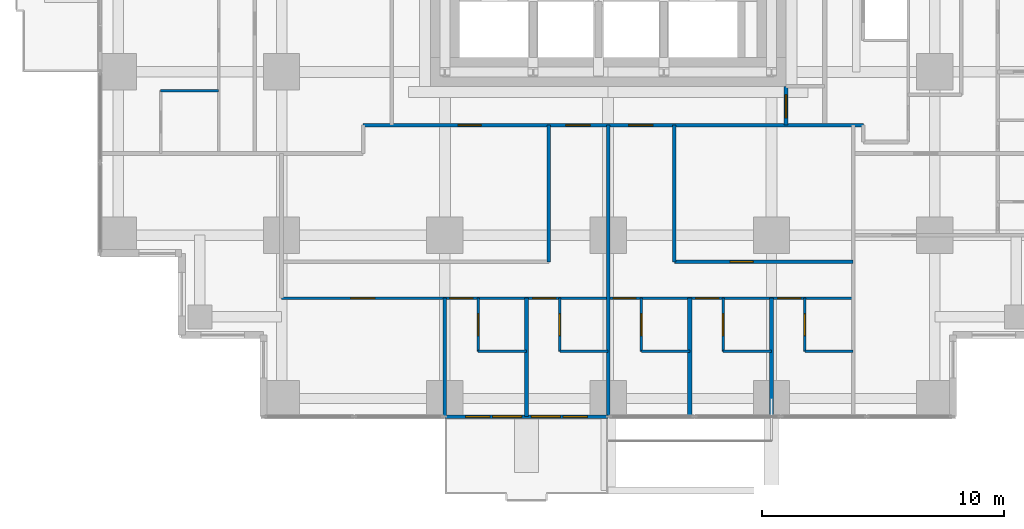
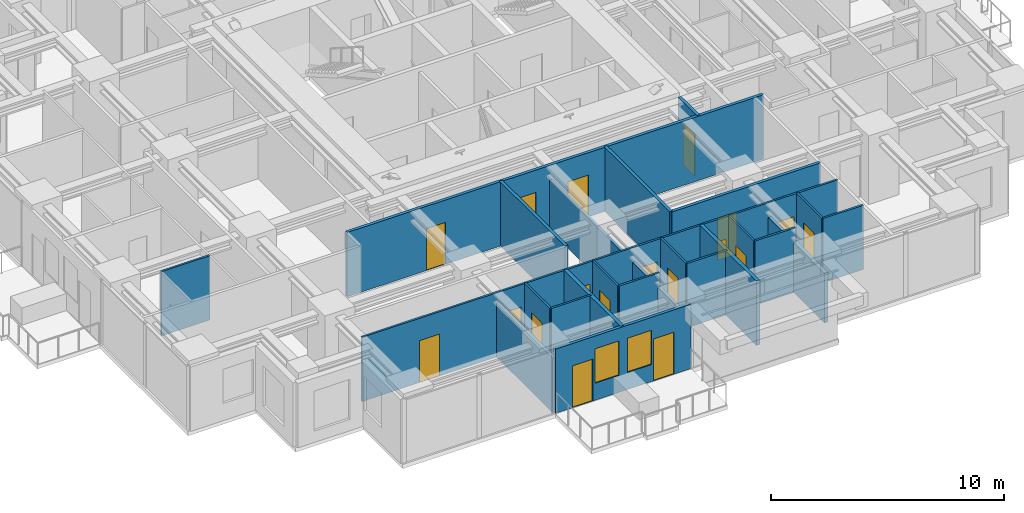
# One storey, part 7 of 13: 23 walls, 18 doors, 2 windows, 20 openings.
"""IFC4 building model written with IfcOpenShell, lengths in metres."""

from ifc_helpers import new_model, si_unit, direction, frame, frame_2d, origin, place, context, subcontext, project, spatial, rectangle, extrude, material, layer, layer_set, type_object, element, fill, save


model = new_model("IFC4")

# Units and contexts
model_context = context("Model", 3, precision=1e-05, world=origin(), true_north=direction((0.0, 1.0)))
body_context = subcontext(model_context, "Body", "Model", "MODEL_VIEW")
ifc_project = project(units=[si_unit("LENGTHUNIT", "METRE"), si_unit("AREAUNIT", "SQUARE_METRE"), si_unit("VOLUMEUNIT", "CUBIC_METRE"), si_unit("PLANEANGLEUNIT", "RADIAN"), si_unit("MASSUNIT", "GRAM", prefix="KILO")], contexts=[model_context])

# Site, building, storey
site_placement = place(None, origin())
site = spatial("IfcSite", under=ifc_project, at=site_placement, CompositionType="ELEMENT")
building_placement = place(site_placement, origin())
building = spatial("IfcBuilding", under=site, at=building_placement, Name="Nyansa Garden Tower", CompositionType="ELEMENT")
storey_placement = place(building_placement, frame((0.0, 0.0, 123.300048828125)))
storey = spatial("IfcBuildingStorey", under=building, at=storey_placement, Name="L33", CompositionType="ELEMENT", Elevation=123.300048828125)

# Walls
ifc_material_1 = material(Name="Dense blockwork, plastered both sides, 55 dB", Category="masonry")
ifc_layer_1 = layer(ifc_material_1, 0.175048828125)
ifc_layer_set_1 = layer_set([ifc_layer_1], Name="Acoustic party wall PW175")
wall_type_1 = type_object("IfcWallType", Name="Acoustic party wall PW175", PredefinedType="PARTITIONING", material=ifc_layer_set_1)
for number, where, z_axis, x_axis, name in (
    (1, (16.875, -0.73388671875, 0.0), (0.0, 0.0, 1.0), (0.0, 1.0, 0.0), "Party wall"),
    (2, (23.625, -0.73388671875, 0.0), (0.0, 0.0, 1.0), (0.0, 1.0, 0.0), "Party wall"),
):
    element("IfcWall", number, at=place(storey_placement, frame(where, z_axis=z_axis, x_axis=x_axis)), inside=storey, type_object=wall_type_1, Name=name, PredefinedType="PARTITIONING", context=body_context, shape_type="SweptSolid", body=[
        extrude(rectangle(XDim=4.8837890625, YDim=0.175048828125, at=frame_2d((2.44189453125, 0.0))), origin(), (0.0, 0.0, 1.0), 3.375),
    ])
wall_1_placement = place(storey_placement, frame((27.0, -0.73388671875, 0.0), z_axis=(0.0, 0.0, 1.0), x_axis=(0.0, 1.0, 0.0)))
element("IfcWall", 3, at=wall_1_placement, inside=storey, type_object=wall_type_1, Name="Party wall", PredefinedType="PARTITIONING", context=body_context, shape_type="SweptSolid", body=[
    extrude(rectangle(XDim=4.8837890625, YDim=0.175048828125, at=frame_2d((2.44189453125, 0.0))), origin(), (0.0, 0.0, 1.0), 2.60986328125),
])

# Wall, openings, doors, windows
ifc_material_2 = material(Name="Black aluminium framed glazed screen", Category="aluminium")
ifc_layer_2 = layer(ifc_material_2, 0.14990234375)
ifc_layer_set_2 = layer_set([ifc_layer_2], Name="Balcony screen wall BW150")
wall_type_2 = type_object("IfcWallType", Name="Balcony screen wall BW150", PredefinedType="SOLIDWALL", material=ifc_layer_set_2)
wall_2_placement = place(storey_placement, frame((20.25, -0.75, 0.0), z_axis=(0.0, 0.0, 1.0), x_axis=(-1.0, 0.0, 0.0)))
wall_2 = element("IfcWall", 4, at=wall_2_placement, inside=storey, type_object=wall_type_2, Name="Glazed screen wall L33 S", PredefinedType="SOLIDWALL", context=body_context, shape_type="SweptSolid", body=[
    extrude(rectangle(XDim=6.75, YDim=0.14990234375, at=frame_2d((3.375, 0.0))), origin(), (0.0, 0.0, 1.0), 3.375),
])
opening_1_placement = place(wall_2_placement, frame((0.862548828125, 0.0, 0.0)))
opening_1 = element("IfcOpeningElement", 5, at=opening_1_placement, cuts=wall_2, Name="Opening D20", PredefinedType="OPENING", context=body_context, shape_type="SweptSolid", body=[
    extrude(rectangle(XDim=1.0, YDim=2.199951171875, at=frame_2d((0.5, 1.10009765625))), frame((0.0, 0.0849609375, 0.0), z_axis=(0.0, -1.0, 0.0), x_axis=(1.0, 0.0, 0.0)), (0.0, 0.0, 1.0), 0.169921875),
])
opening_2_placement = place(wall_2_placement, frame((1.97509765625, 0.0, 0.89990234375)))
opening_2 = element("IfcOpeningElement", 6, at=opening_2_placement, cuts=wall_2, Name="Opening W6", PredefinedType="OPENING", context=body_context, shape_type="SweptSolid", body=[
    extrude(rectangle(XDim=1.199951171875, YDim=1.800048828125, at=frame_2d((0.60009765625, 0.89990234375))), frame((0.0, 0.0849609375, 0.0), z_axis=(0.0, -1.0, 0.0), x_axis=(1.0, 0.0, 0.0)), (0.0, 0.0, 1.0), 0.169921875),
])
opening_3_placement = place(wall_2_placement, frame((4.887451171875, 0.0, 0.0)))
opening_3 = element("IfcOpeningElement", 7, at=opening_3_placement, cuts=wall_2, Name="Opening D20", PredefinedType="OPENING", context=body_context, shape_type="SweptSolid", body=[
    extrude(rectangle(XDim=1.0, YDim=2.199951171875, at=frame_2d((0.5, 1.10009765625))), frame((0.0, 0.0849609375, 0.0), z_axis=(0.0, -1.0, 0.0), x_axis=(1.0, 0.0, 0.0)), (0.0, 0.0, 1.0), 0.169921875),
])
opening_4_placement = place(wall_2_placement, frame((3.574951171875, 0.0, 0.89990234375)))
opening_4 = element("IfcOpeningElement", 8, at=opening_4_placement, cuts=wall_2, Name="Opening W6", PredefinedType="OPENING", context=body_context, shape_type="SweptSolid", body=[
    extrude(rectangle(XDim=1.199951171875, YDim=1.800048828125, at=frame_2d((0.60009765625, 0.89990234375))), frame((0.0, 0.0849609375, 0.0), z_axis=(0.0, -1.0, 0.0), x_axis=(1.0, 0.0, 0.0)), (0.0, 0.0, 1.0), 0.169921875),
])
ifc_material_3 = material(Name="Black aluminium framed glazed door", Category="aluminium")
door_type_1 = type_object("IfcDoorType", Name="Balcony door D20 1000x2200", OperationType="NOTDEFINED", PredefinedType="DOOR", material=ifc_material_3)
door_1_placement = place(opening_1_placement, origin())
door_1 = element("IfcDoor", 9, at=door_1_placement, inside=storey, type_object=door_type_1, Name="Balcony door L33", OperationType="SINGLE_SWING_LEFT", OverallHeight=2.199951171875, OverallWidth=1.0, PredefinedType="DOOR", context=body_context, shape_type="SweptSolid", body=[
    extrude(rectangle(XDim=1.0, YDim=2.199951171875, at=frame_2d((0.5, 1.10009765625))), frame((0.0, 0.02490234375, 0.0), z_axis=(0.0, -1.0, 0.0), x_axis=(1.0, 0.0, 0.0)), (0.0, 0.0, 1.0), 0.050048828125),
])
fill(opening_1, door_1)
door_2_placement = place(opening_3_placement, origin())
door_2 = element("IfcDoor", 10, at=door_2_placement, inside=storey, type_object=door_type_1, Name="Balcony door L33", OperationType="SINGLE_SWING_RIGHT", OverallHeight=2.199951171875, OverallWidth=1.0, PredefinedType="DOOR", context=body_context, shape_type="SweptSolid", body=[
    extrude(rectangle(XDim=1.0, YDim=2.199951171875, at=frame_2d((0.5, 1.10009765625))), frame((0.0, 0.02490234375, 0.0), z_axis=(0.0, -1.0, 0.0), x_axis=(1.0, 0.0, 0.0)), (0.0, 0.0, 1.0), 0.050048828125),
])
fill(opening_3, door_2)
ifc_material_4 = material(Name="Black aluminium frame, dark tinted double glazing", Category="aluminium")
window_type = type_object("IfcWindowType", Name="Balcony window W6 1200x1800", PartitioningType="SINGLE_PANEL", PredefinedType="WINDOW", material=ifc_material_4)
window_1_placement = place(opening_2_placement, origin())
window_1 = element("IfcWindow", 11, at=window_1_placement, inside=storey, type_object=window_type, Name="Window L33", OverallHeight=1.800048828125, OverallWidth=1.199951171875, PartitioningType="SINGLE_PANEL", PredefinedType="WINDOW", context=body_context, shape_type="SweptSolid", body=[
    extrude(rectangle(XDim=1.199951171875, YDim=1.800048828125, at=frame_2d((0.60009765625, 0.89990234375))), frame((0.0, 0.030029296875, 0.0), z_axis=(0.0, -1.0, 0.0), x_axis=(1.0, 0.0, 0.0)), (0.0, 0.0, 1.0), 0.06005859375),
])
fill(opening_2, window_1)
window_2_placement = place(opening_4_placement, origin())
window_2 = element("IfcWindow", 12, at=window_2_placement, inside=storey, type_object=window_type, Name="Window L33", OverallHeight=1.800048828125, OverallWidth=1.199951171875, PartitioningType="SINGLE_PANEL", PredefinedType="WINDOW", context=body_context, shape_type="SweptSolid", body=[
    extrude(rectangle(XDim=1.199951171875, YDim=1.800048828125, at=frame_2d((0.60009765625, 0.89990234375))), frame((0.0, 0.030029296875, 0.0), z_axis=(0.0, -1.0, 0.0), x_axis=(1.0, 0.0, 0.0)), (0.0, 0.0, 1.0), 0.06005859375),
])
fill(opening_4, window_2)

# Wall, openings, doors
ifc_material_5 = material(Name="Blockwork, plastered both sides", Category="masonry")
ifc_layer_3 = layer(ifc_material_5, 0.14990234375)
ifc_layer_set_3 = layer_set([ifc_layer_3], Name="Partition PW150")
wall_type_3 = type_object("IfcWallType", Name="Partition PW150", PredefinedType="PARTITIONING", material=ifc_layer_set_3)
wall_3_placement = place(storey_placement, frame((10.125, 11.300048828125, 0.0), z_axis=(0.0, 0.0, 1.0), x_axis=(1.0, 0.0, 0.0)))
wall_3 = element("IfcWall", 13, at=wall_3_placement, inside=storey, type_object=wall_type_3, Name="Partition", PredefinedType="PARTITIONING", context=body_context, shape_type="SweptSolid", body=[
    extrude(rectangle(XDim=20.675048828125, YDim=0.14990234375, at=frame_2d((10.33740234375, 0.0))), origin(), (0.0, 0.0, 1.0), 3.375),
])
opening_5_placement = place(wall_3_placement, frame((8.375, 0.0, 0.0)))
opening_5 = element("IfcOpeningElement", 14, at=opening_5_placement, cuts=wall_3, Name="Opening D03", PredefinedType="OPENING", context=body_context, shape_type="SweptSolid", body=[
    extrude(rectangle(XDim=1.0, YDim=2.199951171875, at=frame_2d((0.5, 1.10009765625))), frame((0.0, 0.0849609375, 0.0), z_axis=(0.0, -1.0, 0.0), x_axis=(1.0, 0.0, 0.0)), (0.0, 0.0, 1.0), 0.169921875),
])
opening_6_placement = place(wall_3_placement, frame((10.97509765625, 0.0, 0.0)))
opening_6 = element("IfcOpeningElement", 15, at=opening_6_placement, cuts=wall_3, Name="Opening D03", PredefinedType="OPENING", context=body_context, shape_type="SweptSolid", body=[
    extrude(rectangle(XDim=1.0, YDim=2.199951171875, at=frame_2d((0.5, 1.10009765625))), frame((0.0, 0.0849609375, 0.0), z_axis=(0.0, -1.0, 0.0), x_axis=(1.0, 0.0, 0.0)), (0.0, 0.0, 1.0), 0.169921875),
])
opening_7_placement = place(wall_3_placement, frame((3.925048828125, 0.0, 0.0)))
opening_7 = element("IfcOpeningElement", 16, at=opening_7_placement, cuts=wall_3, Name="Opening D01", PredefinedType="OPENING", context=body_context, shape_type="SweptSolid", body=[
    extrude(rectangle(XDim=0.949951171875, YDim=2.199951171875, at=frame_2d((0.47509765625, 1.10009765625))), frame((0.0, 0.0849609375, 0.0), z_axis=(0.0, -1.0, 0.0), x_axis=(1.0, 0.0, 0.0)), (0.0, 0.0, 1.0), 0.169921875),
])
ifc_material_6 = material(Name="Timber flush door, 30 minute fire resisting", Category="wood")
door_type_2 = type_object("IfcDoorType", Name="Bedroom door D01 950x2200", OperationType="SINGLE_SWING_LEFT", PredefinedType="DOOR", material=ifc_material_6)
door_3_placement = place(opening_7_placement, origin())
door_3 = element("IfcDoor", 17, at=door_3_placement, inside=storey, type_object=door_type_2, Name="Door L33-030", OperationType="SINGLE_SWING_LEFT", OverallHeight=2.199951171875, OverallWidth=0.949951171875, PredefinedType="DOOR", context=body_context, shape_type="SweptSolid", body=[
    extrude(rectangle(XDim=0.949951171875, YDim=2.199951171875, at=frame_2d((0.47509765625, 1.10009765625))), frame((0.0, 0.02490234375, 0.0), z_axis=(0.0, -1.0, 0.0), x_axis=(1.0, 0.0, 0.0)), (0.0, 0.0, 1.0), 0.050048828125),
])
fill(opening_7, door_3)
ifc_material_7 = material(Name="Timber flush door, 60 minute fire resisting", Category="wood")
door_type_3 = type_object("IfcDoorType", Name="Cluster entrance door D03 1000x2200", OperationType="SINGLE_SWING_LEFT", PredefinedType="DOOR", material=ifc_material_7)
door_4_placement = place(opening_5_placement, origin())
door_4 = element("IfcDoor", 18, at=door_4_placement, inside=storey, type_object=door_type_3, Name="Door L33-022", OperationType="SINGLE_SWING_LEFT", OverallHeight=2.199951171875, OverallWidth=1.0, PredefinedType="DOOR", context=body_context, shape_type="SweptSolid", body=[
    extrude(rectangle(XDim=1.0, YDim=2.199951171875, at=frame_2d((0.5, 1.10009765625))), frame((0.0, 0.02490234375, 0.0), z_axis=(0.0, -1.0, 0.0), x_axis=(1.0, 0.0, 0.0)), (0.0, 0.0, 1.0), 0.050048828125),
])
fill(opening_5, door_4)
door_5_placement = place(opening_6_placement, origin())
door_5 = element("IfcDoor", 19, at=door_5_placement, inside=storey, type_object=door_type_3, Name="Door L33-029", OperationType="SINGLE_SWING_LEFT", OverallHeight=2.199951171875, OverallWidth=1.0, PredefinedType="DOOR", context=body_context, shape_type="SweptSolid", body=[
    extrude(rectangle(XDim=1.0, YDim=2.199951171875, at=frame_2d((0.5, 1.10009765625))), frame((0.0, 0.02490234375, 0.0), z_axis=(0.0, -1.0, 0.0), x_axis=(1.0, 0.0, 0.0)), (0.0, 0.0, 1.0), 0.050048828125),
])
fill(opening_6, door_5)

# Walls
wall_4_placement = place(storey_placement, frame((13.5, -0.73388671875, 0.0), z_axis=(0.0, 0.0, 1.0), x_axis=(0.0, 1.0, 0.0)))
element("IfcWall", 20, at=wall_4_placement, inside=storey, type_object=wall_type_3, Name="Partition", PredefinedType="PARTITIONING", context=body_context, shape_type="SweptSolid", body=[
    extrude(rectangle(XDim=4.8837890625, YDim=0.14990234375, at=frame_2d((2.44189453125, 0.0))), origin(), (0.0, 0.0, 1.0), 2.876953125),
])
wall_5_placement = place(storey_placement, frame((17.800048828125, 5.64990234375, 0.0), z_axis=(0.0, 0.0, 1.0), x_axis=(0.0, 1.0, 0.0)))
element("IfcWall", 21, at=wall_5_placement, inside=storey, type_object=wall_type_3, Name="Partition", PredefinedType="PARTITIONING", context=body_context, shape_type="SweptSolid", body=[
    extrude(rectangle(XDim=5.650146484375, YDim=0.14990234375, at=frame_2d((2.8251953125, 0.0))), origin(), (0.0, 0.0, 1.0), 3.375),
])
wall_6_placement = place(storey_placement, frame((20.25, -0.73388671875, 0.0), z_axis=(0.0, 0.0, 1.0), x_axis=(0.0, 1.0, 0.0)))
element("IfcWall", 22, at=wall_6_placement, inside=storey, type_object=wall_type_3, Name="Partition", PredefinedType="PARTITIONING", context=body_context, shape_type="SweptSolid", body=[
    extrude(rectangle(XDim=12.033935546875, YDim=0.14990234375, at=frame_2d((6.01708984375, 0.0))), origin(), (0.0, 0.0, 1.0), 2.60986328125),
])

# Wall, opening, door
wall_7_placement = place(storey_placement, frame((22.987548828125, 5.64990234375, 0.0), z_axis=(0.0, 0.0, 1.0), x_axis=(1.0, 0.0, 0.0)))
wall_7 = element("IfcWall", 23, at=wall_7_placement, inside=storey, type_object=wall_type_3, Name="Partition", PredefinedType="PARTITIONING", context=body_context, shape_type="SweptSolid", body=[
    extrude(rectangle(XDim=7.387451171875, YDim=0.14990234375, at=frame_2d((3.69384765625, 0.0))), origin(), (0.0, 0.0, 1.0), 3.375),
])
opening_8_placement = place(wall_7_placement, frame((2.300048828125, 0.0, 0.0)))
opening_8 = element("IfcOpeningElement", 24, at=opening_8_placement, cuts=wall_7, Name="Opening D01", PredefinedType="OPENING", context=body_context, shape_type="SweptSolid", body=[
    extrude(rectangle(XDim=0.949951171875, YDim=2.199951171875, at=frame_2d((0.47509765625, 1.10009765625))), frame((0.0, 0.0849609375, 0.0), z_axis=(0.0, -1.0, 0.0), x_axis=(1.0, 0.0, 0.0)), (0.0, 0.0, 1.0), 0.169921875),
])
door_6_placement = place(opening_8_placement, origin())
door_6 = element("IfcDoor", 25, at=door_6_placement, inside=storey, type_object=door_type_2, Name="Door L33-031", OperationType="SINGLE_SWING_LEFT", OverallHeight=2.199951171875, OverallWidth=0.949951171875, PredefinedType="DOOR", context=body_context, shape_type="SweptSolid", body=[
    extrude(rectangle(XDim=0.949951171875, YDim=2.199951171875, at=frame_2d((0.47509765625, 1.10009765625))), frame((0.0, 0.02490234375, 0.0), z_axis=(0.0, -1.0, 0.0), x_axis=(1.0, 0.0, 0.0)), (0.0, 0.0, 1.0), 0.050048828125),
])
fill(opening_8, door_6)

# Wall
wall_8_placement = place(storey_placement, frame((22.988037109375, 5.64990234375, 0.0), z_axis=(0.0, 0.0, 1.0), x_axis=(0.0, 1.0, 0.0)))
element("IfcWall", 26, at=wall_8_placement, inside=storey, type_object=wall_type_3, Name="Partition", PredefinedType="PARTITIONING", context=body_context, shape_type="SweptSolid", body=[
    extrude(rectangle(XDim=5.650146484375, YDim=0.14990234375, at=frame_2d((2.8251953125, 0.0))), origin(), (0.0, 0.0, 1.0), 3.375),
])

# Wall, opening, door
wall_9_placement = place(storey_placement, frame((27.60009765625, 11.300048828125, 0.0), z_axis=(0.0, 0.0, 1.0), x_axis=(0.0, 1.0, 0.0)))
wall_9 = element("IfcWall", 27, at=wall_9_placement, inside=storey, type_object=wall_type_3, Name="Partition", PredefinedType="PARTITIONING", context=body_context, shape_type="SweptSolid", body=[
    extrude(rectangle(XDim=1.599853515625, YDim=0.14990234375, at=frame_2d((0.7998046875, 0.0))), origin(), (0.0, 0.0, 1.0), 3.375),
])
opening_9_placement = place(wall_9_placement, frame((0.300048828125, 0.0, 0.0)))
opening_9 = element("IfcOpeningElement", 28, at=opening_9_placement, cuts=wall_9, Name="Opening D01", PredefinedType="OPENING", context=body_context, shape_type="SweptSolid", body=[
    extrude(rectangle(XDim=0.949951171875, YDim=2.199951171875, at=frame_2d((0.47509765625, 1.10009765625))), frame((0.0, 0.0849609375, 0.0), z_axis=(0.0, -1.0, 0.0), x_axis=(1.0, 0.0, 0.0)), (0.0, 0.0, 1.0), 0.169921875),
])
door_7_placement = place(opening_9_placement, origin())
door_7 = element("IfcDoor", 29, at=door_7_placement, inside=storey, type_object=door_type_2, Name="Door L33-016", OperationType="SINGLE_SWING_LEFT", OverallHeight=2.199951171875, OverallWidth=0.949951171875, PredefinedType="DOOR", context=body_context, shape_type="SweptSolid", body=[
    extrude(rectangle(XDim=0.949951171875, YDim=2.199951171875, at=frame_2d((0.47509765625, 1.10009765625))), frame((0.0, 0.02490234375, 0.0), z_axis=(0.0, -1.0, 0.0), x_axis=(1.0, 0.0, 0.0)), (0.0, 0.0, 1.0), 0.050048828125),
])
fill(opening_9, door_7)

# Wall
ifc_material_8 = material(Name="Moisture resistant board on steel studs, tiled", Category="steel")
ifc_layer_4 = layer(ifc_material_8, 0.10009765625)
ifc_layer_set_4 = layer_set([ifc_layer_4], Name="Wet wall PW100")
wall_type_4 = type_object("IfcWallType", Name="Wet wall PW100", PredefinedType="PARTITIONING", material=ifc_layer_set_4)
wall_10_placement = place(storey_placement, frame((1.75, 12.72509765625, 0.0), z_axis=(0.0, 0.0, 1.0), x_axis=(1.0, 0.0, 0.0)))
element("IfcWall", 30, at=wall_10_placement, inside=storey, type_object=wall_type_4, Name="Wet wall", PredefinedType="PARTITIONING", context=body_context, shape_type="SweptSolid", body=[
    extrude(rectangle(XDim=2.39990234375, YDim=0.10009765625, at=frame_2d((1.199951171875, 0.0))), origin(), (0.0, 0.0, 1.0), 3.375),
])

# Wall, openings, doors
wall_11_placement = place(storey_placement, frame((6.75, 4.14990234375, 0.0), z_axis=(0.0, 0.0, 1.0), x_axis=(1.0, 0.0, 0.0)))
wall_11 = element("IfcWall", 31, at=wall_11_placement, inside=storey, type_object=wall_type_4, Name="Wet wall", PredefinedType="PARTITIONING", context=body_context, shape_type="SweptSolid", body=[
    extrude(rectangle(XDim=23.625, YDim=0.10009765625, at=frame_2d((11.8125, 0.0))), origin(), (0.0, 0.0, 1.0), 3.375),
])
opening_10_placement = place(wall_11_placement, frame((2.85009765625, 0.0, 0.0)))
opening_10 = element("IfcOpeningElement", 32, at=opening_10_placement, cuts=wall_11, Name="Opening D03", PredefinedType="OPENING", context=body_context, shape_type="SweptSolid", body=[
    extrude(rectangle(XDim=1.0, YDim=2.199951171875, at=frame_2d((0.5, 1.10009765625))), frame((0.0, 0.06005859375, 0.0), z_axis=(0.0, -1.0, 0.0), x_axis=(1.0, 0.0, 0.0)), (0.0, 0.0, 1.0), 0.1201171875),
])
opening_11_placement = place(wall_11_placement, frame((6.949951171875, 0.0, 0.0)))
opening_11 = element("IfcOpeningElement", 33, at=opening_11_placement, cuts=wall_11, Name="Opening D01", PredefinedType="OPENING", context=body_context, shape_type="SweptSolid", body=[
    extrude(rectangle(XDim=0.949951171875, YDim=2.199951171875, at=frame_2d((0.47509765625, 1.10009765625))), frame((0.0, 0.06005859375, 0.0), z_axis=(0.0, -1.0, 0.0), x_axis=(1.0, 0.0, 0.0)), (0.0, 0.0, 1.0), 0.1201171875),
])
opening_12_placement = place(wall_11_placement, frame((10.375, 0.0, 0.0)))
opening_12 = element("IfcOpeningElement", 34, at=opening_12_placement, cuts=wall_11, Name="Opening D01", PredefinedType="OPENING", context=body_context, shape_type="SweptSolid", body=[
    extrude(rectangle(XDim=0.949951171875, YDim=2.199951171875, at=frame_2d((0.47509765625, 1.10009765625))), frame((0.0, 0.06005859375, 0.0), z_axis=(0.0, -1.0, 0.0), x_axis=(1.0, 0.0, 0.0)), (0.0, 0.0, 1.0), 0.1201171875),
])
opening_13_placement = place(wall_11_placement, frame((13.699951171875, 0.0, 0.0)))
opening_13 = element("IfcOpeningElement", 35, at=opening_13_placement, cuts=wall_11, Name="Opening D14", PredefinedType="OPENING", context=body_context, shape_type="SweptSolid", body=[
    extrude(rectangle(XDim=0.949951171875, YDim=2.199951171875, at=frame_2d((0.47509765625, 1.10009765625))), frame((0.0, 0.06005859375, 0.0), z_axis=(0.0, -1.0, 0.0), x_axis=(1.0, 0.0, 0.0)), (0.0, 0.0, 1.0), 0.1201171875),
])
opening_14_placement = place(wall_11_placement, frame((17.125, 0.0, 0.0)))
opening_14 = element("IfcOpeningElement", 36, at=opening_14_placement, cuts=wall_11, Name="Opening D14", PredefinedType="OPENING", context=body_context, shape_type="SweptSolid", body=[
    extrude(rectangle(XDim=0.949951171875, YDim=2.199951171875, at=frame_2d((0.47509765625, 1.10009765625))), frame((0.0, 0.06005859375, 0.0), z_axis=(0.0, -1.0, 0.0), x_axis=(1.0, 0.0, 0.0)), (0.0, 0.0, 1.0), 0.1201171875),
])
opening_15_placement = place(wall_11_placement, frame((20.5, 0.0, 0.0)))
opening_15 = element("IfcOpeningElement", 37, at=opening_15_placement, cuts=wall_11, Name="Opening D14", PredefinedType="OPENING", context=body_context, shape_type="SweptSolid", body=[
    extrude(rectangle(XDim=0.949951171875, YDim=2.199951171875, at=frame_2d((0.47509765625, 1.10009765625))), frame((0.0, 0.06005859375, 0.0), z_axis=(0.0, -1.0, 0.0), x_axis=(1.0, 0.0, 0.0)), (0.0, 0.0, 1.0), 0.1201171875),
])
door_8_placement = place(opening_11_placement, origin())
door_8 = element("IfcDoor", 38, at=door_8_placement, inside=storey, type_object=door_type_2, Name="Door L33-018", OperationType="SINGLE_SWING_LEFT", OverallHeight=2.199951171875, OverallWidth=0.949951171875, PredefinedType="DOOR", context=body_context, shape_type="SweptSolid", body=[
    extrude(rectangle(XDim=0.949951171875, YDim=2.199951171875, at=frame_2d((0.47509765625, 1.10009765625))), frame((0.0, 0.02490234375, 0.0), z_axis=(0.0, -1.0, 0.0), x_axis=(1.0, 0.0, 0.0)), (0.0, 0.0, 1.0), 0.050048828125),
])
fill(opening_11, door_8)
door_9_placement = place(opening_12_placement, origin())
door_9 = element("IfcDoor", 39, at=door_9_placement, inside=storey, type_object=door_type_2, Name="Door L33-020", OperationType="SINGLE_SWING_LEFT", OverallHeight=2.199951171875, OverallWidth=0.949951171875, PredefinedType="DOOR", context=body_context, shape_type="SweptSolid", body=[
    extrude(rectangle(XDim=0.949951171875, YDim=2.199951171875, at=frame_2d((0.47509765625, 1.10009765625))), frame((0.0, 0.02490234375, 0.0), z_axis=(0.0, -1.0, 0.0), x_axis=(1.0, 0.0, 0.0)), (0.0, 0.0, 1.0), 0.050048828125),
])
fill(opening_12, door_9)
door_10_placement = place(opening_10_placement, origin())
door_10 = element("IfcDoor", 40, at=door_10_placement, inside=storey, type_object=door_type_3, Name="Door L33-017", OperationType="SINGLE_SWING_LEFT", OverallHeight=2.199951171875, OverallWidth=1.0, PredefinedType="DOOR", context=body_context, shape_type="SweptSolid", body=[
    extrude(rectangle(XDim=1.0, YDim=2.199951171875, at=frame_2d((0.5, 1.10009765625))), frame((0.0, 0.02490234375, 0.0), z_axis=(0.0, -1.0, 0.0), x_axis=(1.0, 0.0, 0.0)), (0.0, 0.0, 1.0), 0.050048828125),
])
fill(opening_10, door_10)
ifc_material_9 = material(Name="Timber flush door, 60 minute fire resisting, self-closing", Category="wood")
door_type_4 = type_object("IfcDoorType", Name="Studio entrance door D14 950x2200", OperationType="SINGLE_SWING_LEFT", PredefinedType="DOOR", material=ifc_material_9)
door_11_placement = place(opening_13_placement, origin())
door_11 = element("IfcDoor", 41, at=door_11_placement, inside=storey, type_object=door_type_4, Name="Door L33-023", OperationType="SINGLE_SWING_LEFT", OverallHeight=2.199951171875, OverallWidth=0.949951171875, PredefinedType="DOOR", context=body_context, shape_type="SweptSolid", body=[
    extrude(rectangle(XDim=0.949951171875, YDim=2.199951171875, at=frame_2d((0.47509765625, 1.10009765625))), frame((0.0, 0.02490234375, 0.0), z_axis=(0.0, -1.0, 0.0), x_axis=(1.0, 0.0, 0.0)), (0.0, 0.0, 1.0), 0.050048828125),
])
fill(opening_13, door_11)
door_12_placement = place(opening_14_placement, origin())
door_12 = element("IfcDoor", 42, at=door_12_placement, inside=storey, type_object=door_type_4, Name="Door L33-025", OperationType="SINGLE_SWING_LEFT", OverallHeight=2.199951171875, OverallWidth=0.949951171875, PredefinedType="DOOR", context=body_context, shape_type="SweptSolid", body=[
    extrude(rectangle(XDim=0.949951171875, YDim=2.199951171875, at=frame_2d((0.47509765625, 1.10009765625))), frame((0.0, 0.02490234375, 0.0), z_axis=(0.0, -1.0, 0.0), x_axis=(1.0, 0.0, 0.0)), (0.0, 0.0, 1.0), 0.050048828125),
])
fill(opening_14, door_12)
door_13_placement = place(opening_15_placement, origin())
door_13 = element("IfcDoor", 43, at=door_13_placement, inside=storey, type_object=door_type_4, Name="Door L33-027", OperationType="SINGLE_SWING_LEFT", OverallHeight=2.199951171875, OverallWidth=0.949951171875, PredefinedType="DOOR", context=body_context, shape_type="SweptSolid", body=[
    extrude(rectangle(XDim=0.949951171875, YDim=2.199951171875, at=frame_2d((0.47509765625, 1.10009765625))), frame((0.0, 0.02490234375, 0.0), z_axis=(0.0, -1.0, 0.0), x_axis=(1.0, 0.0, 0.0)), (0.0, 0.0, 1.0), 0.050048828125),
])
fill(opening_15, door_13)

# Wall, opening, door
wall_12_placement = place(storey_placement, frame((14.875, 1.949951171875, 0.0), z_axis=(0.0, 0.0, 1.0), x_axis=(0.0, 1.0, 0.0)))
wall_12 = element("IfcWall", 44, at=wall_12_placement, inside=storey, type_object=wall_type_4, Name="Wet wall", PredefinedType="PARTITIONING", context=body_context, shape_type="SweptSolid", body=[
    extrude(rectangle(XDim=2.199951171875, YDim=0.10009765625, at=frame_2d((1.10009765625, 0.0))), origin(), (0.0, 0.0, 1.0), 3.375),
])
opening_16_placement = place(wall_12_placement, frame((0.64990234375, 0.0, 0.0)))
opening_16 = element("IfcOpeningElement", 45, at=opening_16_placement, cuts=wall_12, Name="Opening D02", PredefinedType="OPENING", context=body_context, shape_type="SweptSolid", body=[
    extrude(rectangle(XDim=0.89990234375, YDim=2.199951171875, at=frame_2d((0.449951171875, 1.10009765625))), frame((0.0, 0.06005859375, 0.0), z_axis=(0.0, -1.0, 0.0), x_axis=(1.0, 0.0, 0.0)), (0.0, 0.0, 1.0), 0.1201171875),
])
ifc_material_10 = material(Name="Timber flush door", Category="wood")
door_type_5 = type_object("IfcDoorType", Name="En-suite door D02 900x2200", OperationType="SINGLE_SWING_RIGHT", PredefinedType="DOOR", material=ifc_material_10)
door_14_placement = place(opening_16_placement, origin())
door_14 = element("IfcDoor", 46, at=door_14_placement, inside=storey, type_object=door_type_5, Name="Door L33-019", OperationType="SINGLE_SWING_RIGHT", OverallHeight=2.199951171875, OverallWidth=0.89990234375, PredefinedType="DOOR", context=body_context, shape_type="SweptSolid", body=[
    extrude(rectangle(XDim=0.89990234375, YDim=2.199951171875, at=frame_2d((0.449951171875, 1.10009765625))), frame((0.0, 0.02490234375, 0.0), z_axis=(0.0, -1.0, 0.0), x_axis=(1.0, 0.0, 0.0)), (0.0, 0.0, 1.0), 0.050048828125),
])
fill(opening_16, door_14)

# Wall
wall_13_placement = place(storey_placement, frame((14.875, 1.949951171875, 0.0), z_axis=(0.0, 0.0, 1.0), x_axis=(1.0, 0.0, 0.0)))
element("IfcWall", 47, at=wall_13_placement, inside=storey, type_object=wall_type_4, Name="Wet wall", PredefinedType="PARTITIONING", context=body_context, shape_type="SweptSolid", body=[
    extrude(rectangle(XDim=2.0, YDim=0.10009765625, at=frame_2d((1.0, 0.0))), origin(), (0.0, 0.0, 1.0), 3.375),
])

# Wall, opening, door
wall_14_placement = place(storey_placement, frame((18.25, 1.949951171875, 0.0), z_axis=(0.0, 0.0, 1.0), x_axis=(0.0, 1.0, 0.0)))
wall_14 = element("IfcWall", 48, at=wall_14_placement, inside=storey, type_object=wall_type_4, Name="Wet wall", PredefinedType="PARTITIONING", context=body_context, shape_type="SweptSolid", body=[
    extrude(rectangle(XDim=2.199951171875, YDim=0.10009765625, at=frame_2d((1.10009765625, 0.0))), origin(), (0.0, 0.0, 1.0), 3.375),
])
opening_17_placement = place(wall_14_placement, frame((0.64990234375, 0.0, 0.0)))
opening_17 = element("IfcOpeningElement", 49, at=opening_17_placement, cuts=wall_14, Name="Opening D02", PredefinedType="OPENING", context=body_context, shape_type="SweptSolid", body=[
    extrude(rectangle(XDim=0.89990234375, YDim=2.199951171875, at=frame_2d((0.449951171875, 1.10009765625))), frame((0.0, 0.06005859375, 0.0), z_axis=(0.0, -1.0, 0.0), x_axis=(1.0, 0.0, 0.0)), (0.0, 0.0, 1.0), 0.1201171875),
])
door_15_placement = place(opening_17_placement, origin())
door_15 = element("IfcDoor", 50, at=door_15_placement, inside=storey, type_object=door_type_5, Name="Door L33-021", OperationType="SINGLE_SWING_RIGHT", OverallHeight=2.199951171875, OverallWidth=0.89990234375, PredefinedType="DOOR", context=body_context, shape_type="SweptSolid", body=[
    extrude(rectangle(XDim=0.89990234375, YDim=2.199951171875, at=frame_2d((0.449951171875, 1.10009765625))), frame((0.0, 0.02490234375, 0.0), z_axis=(0.0, -1.0, 0.0), x_axis=(1.0, 0.0, 0.0)), (0.0, 0.0, 1.0), 0.050048828125),
])
fill(opening_17, door_15)

# Wall
wall_15_placement = place(storey_placement, frame((18.25, 1.949951171875, 0.0), z_axis=(0.0, 0.0, 1.0), x_axis=(1.0, 0.0, 0.0)))
element("IfcWall", 51, at=wall_15_placement, inside=storey, type_object=wall_type_4, Name="Wet wall", PredefinedType="PARTITIONING", context=body_context, shape_type="SweptSolid", body=[
    extrude(rectangle(XDim=2.0, YDim=0.10009765625, at=frame_2d((1.0, 0.0))), origin(), (0.0, 0.0, 1.0), 3.375),
])

# Wall, opening, door
wall_16_placement = place(storey_placement, frame((21.625, 1.949951171875, 0.0), z_axis=(0.0, 0.0, 1.0), x_axis=(0.0, 1.0, 0.0)))
wall_16 = element("IfcWall", 52, at=wall_16_placement, inside=storey, type_object=wall_type_4, Name="Wet wall", PredefinedType="PARTITIONING", context=body_context, shape_type="SweptSolid", body=[
    extrude(rectangle(XDim=2.199951171875, YDim=0.10009765625, at=frame_2d((1.10009765625, 0.0))), origin(), (0.0, 0.0, 1.0), 3.375),
])
opening_18_placement = place(wall_16_placement, frame((0.64990234375, 0.0, 0.0)))
opening_18 = element("IfcOpeningElement", 53, at=opening_18_placement, cuts=wall_16, Name="Opening D02", PredefinedType="OPENING", context=body_context, shape_type="SweptSolid", body=[
    extrude(rectangle(XDim=0.89990234375, YDim=2.199951171875, at=frame_2d((0.449951171875, 1.10009765625))), frame((0.0, 0.06005859375, 0.0), z_axis=(0.0, -1.0, 0.0), x_axis=(1.0, 0.0, 0.0)), (0.0, 0.0, 1.0), 0.1201171875),
])
door_16_placement = place(opening_18_placement, origin())
door_16 = element("IfcDoor", 54, at=door_16_placement, inside=storey, type_object=door_type_5, Name="Door L33-024", OperationType="SINGLE_SWING_RIGHT", OverallHeight=2.199951171875, OverallWidth=0.89990234375, PredefinedType="DOOR", context=body_context, shape_type="SweptSolid", body=[
    extrude(rectangle(XDim=0.89990234375, YDim=2.199951171875, at=frame_2d((0.449951171875, 1.10009765625))), frame((0.0, 0.02490234375, 0.0), z_axis=(0.0, -1.0, 0.0), x_axis=(1.0, 0.0, 0.0)), (0.0, 0.0, 1.0), 0.050048828125),
])
fill(opening_18, door_16)

# Wall
wall_17_placement = place(storey_placement, frame((21.625, 1.949951171875, 0.0), z_axis=(0.0, 0.0, 1.0), x_axis=(1.0, 0.0, 0.0)))
element("IfcWall", 55, at=wall_17_placement, inside=storey, type_object=wall_type_4, Name="Wet wall", PredefinedType="PARTITIONING", context=body_context, shape_type="SweptSolid", body=[
    extrude(rectangle(XDim=2.0, YDim=0.10009765625, at=frame_2d((1.0, 0.0))), origin(), (0.0, 0.0, 1.0), 3.375),
])

# Wall, opening, door
wall_18_placement = place(storey_placement, frame((25.0, 1.949951171875, 0.0), z_axis=(0.0, 0.0, 1.0), x_axis=(0.0, 1.0, 0.0)))
wall_18 = element("IfcWall", 56, at=wall_18_placement, inside=storey, type_object=wall_type_4, Name="Wet wall", PredefinedType="PARTITIONING", context=body_context, shape_type="SweptSolid", body=[
    extrude(rectangle(XDim=2.199951171875, YDim=0.10009765625, at=frame_2d((1.10009765625, 0.0))), origin(), (0.0, 0.0, 1.0), 3.375),
])
opening_19_placement = place(wall_18_placement, frame((0.64990234375, 0.0, 0.0)))
opening_19 = element("IfcOpeningElement", 57, at=opening_19_placement, cuts=wall_18, Name="Opening D02", PredefinedType="OPENING", context=body_context, shape_type="SweptSolid", body=[
    extrude(rectangle(XDim=0.89990234375, YDim=2.199951171875, at=frame_2d((0.449951171875, 1.10009765625))), frame((0.0, 0.06005859375, 0.0), z_axis=(0.0, -1.0, 0.0), x_axis=(1.0, 0.0, 0.0)), (0.0, 0.0, 1.0), 0.1201171875),
])
door_17_placement = place(opening_19_placement, origin())
door_17 = element("IfcDoor", 58, at=door_17_placement, inside=storey, type_object=door_type_5, Name="Door L33-026", OperationType="SINGLE_SWING_RIGHT", OverallHeight=2.199951171875, OverallWidth=0.89990234375, PredefinedType="DOOR", context=body_context, shape_type="SweptSolid", body=[
    extrude(rectangle(XDim=0.89990234375, YDim=2.199951171875, at=frame_2d((0.449951171875, 1.10009765625))), frame((0.0, 0.02490234375, 0.0), z_axis=(0.0, -1.0, 0.0), x_axis=(1.0, 0.0, 0.0)), (0.0, 0.0, 1.0), 0.050048828125),
])
fill(opening_19, door_17)

# Wall
wall_19_placement = place(storey_placement, frame((25.0, 1.949951171875, 0.0), z_axis=(0.0, 0.0, 1.0), x_axis=(1.0, 0.0, 0.0)))
element("IfcWall", 59, at=wall_19_placement, inside=storey, type_object=wall_type_4, Name="Wet wall", PredefinedType="PARTITIONING", context=body_context, shape_type="SweptSolid", body=[
    extrude(rectangle(XDim=2.0, YDim=0.10009765625, at=frame_2d((1.0, 0.0))), origin(), (0.0, 0.0, 1.0), 3.375),
])

# Wall, opening, door
wall_20_placement = place(storey_placement, frame((28.375, 1.949951171875, 0.0), z_axis=(0.0, 0.0, 1.0), x_axis=(0.0, 1.0, 0.0)))
wall_20 = element("IfcWall", 60, at=wall_20_placement, inside=storey, type_object=wall_type_4, Name="Wet wall", PredefinedType="PARTITIONING", context=body_context, shape_type="SweptSolid", body=[
    extrude(rectangle(XDim=2.199951171875, YDim=0.10009765625, at=frame_2d((1.10009765625, 0.0))), origin(), (0.0, 0.0, 1.0), 3.375),
])
opening_20_placement = place(wall_20_placement, frame((0.64990234375, 0.0, 0.0)))
opening_20 = element("IfcOpeningElement", 61, at=opening_20_placement, cuts=wall_20, Name="Opening D02", PredefinedType="OPENING", context=body_context, shape_type="SweptSolid", body=[
    extrude(rectangle(XDim=0.89990234375, YDim=2.199951171875, at=frame_2d((0.449951171875, 1.10009765625))), frame((0.0, 0.06005859375, 0.0), z_axis=(0.0, -1.0, 0.0), x_axis=(1.0, 0.0, 0.0)), (0.0, 0.0, 1.0), 0.1201171875),
])
door_18_placement = place(opening_20_placement, origin())
door_18 = element("IfcDoor", 62, at=door_18_placement, inside=storey, type_object=door_type_5, Name="Door L33-028", OperationType="SINGLE_SWING_RIGHT", OverallHeight=2.199951171875, OverallWidth=0.89990234375, PredefinedType="DOOR", context=body_context, shape_type="SweptSolid", body=[
    extrude(rectangle(XDim=0.89990234375, YDim=2.199951171875, at=frame_2d((0.449951171875, 1.10009765625))), frame((0.0, 0.02490234375, 0.0), z_axis=(0.0, -1.0, 0.0), x_axis=(1.0, 0.0, 0.0)), (0.0, 0.0, 1.0), 0.050048828125),
])
fill(opening_20, door_18)

# Wall
wall_21_placement = place(storey_placement, frame((28.375, 1.949951171875, 0.0), z_axis=(0.0, 0.0, 1.0), x_axis=(1.0, 0.0, 0.0)))
element("IfcWall", 63, at=wall_21_placement, inside=storey, type_object=wall_type_4, Name="Wet wall", PredefinedType="PARTITIONING", context=body_context, shape_type="SweptSolid", body=[
    extrude(rectangle(XDim=2.0, YDim=0.10009765625, at=frame_2d((1.0, 0.0))), origin(), (0.0, 0.0, 1.0), 3.375),
])

save(model, "model.ifc")
